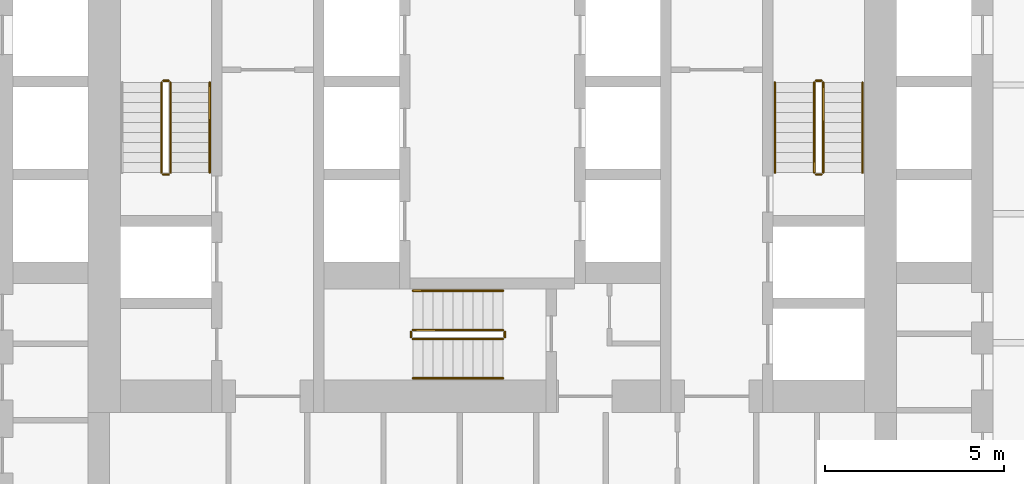
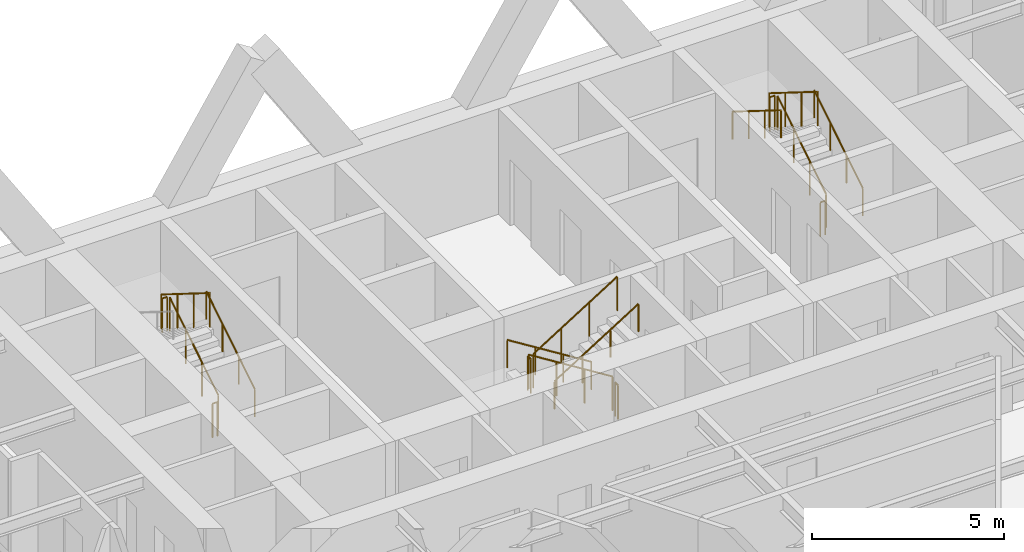
# One storey, part 12 of 12: 17 railings.
"""IFC4 building model written with IfcOpenShell, lengths in metres."""

from ifc_helpers import new_model, si_unit, direction, frame, origin, origin_2d, place, context, subcontext, project, spatial, circle, extrude, material, type_object, element, save


model = new_model("IFC4")

# Units and contexts
model_context = context("Model", 3, precision=1e-05, world=origin(), true_north=direction((0.0, 1.0)))
body_context = subcontext(model_context, "Body", "Model", "MODEL_VIEW")
ifc_project = project(units=[si_unit("LENGTHUNIT", "METRE"), si_unit("AREAUNIT", "SQUARE_METRE"), si_unit("VOLUMEUNIT", "CUBIC_METRE"), si_unit("PLANEANGLEUNIT", "RADIAN"), si_unit("MASSUNIT", "GRAM", prefix="KILO")], contexts=[model_context])

# Site, building, storey
site_placement = place(None, origin())
site = spatial("IfcSite", under=ifc_project, at=site_placement, CompositionType="ELEMENT")
building_placement = place(site_placement, origin())
building = spatial("IfcBuilding", under=site, at=building_placement, Name="Aloe Facet Convention Tower", CompositionType="ELEMENT")
storey_placement = place(building_placement, frame((0.0, 0.0, 56.0)))
storey = spatial("IfcBuildingStorey", under=building, at=storey_placement, Name="L12", CompositionType="ELEMENT", Elevation=56.0)

# Railings
ifc_material_1 = material(Name="Steel S355 balustrade", Category="steel")
railing_type_1 = type_object("IfcRailingType", Name="CR-RL-GUARD", PredefinedType="GUARDRAIL", material=ifc_material_1)
railing_1_placement = place(storey_placement, frame((71.0, 128.949951171875, 0.175048828125)))
element("IfcRailing", 1, at=railing_1_placement, inside=storey, type_object=railing_type_1, Name="L12 ST1 stair guard 1", PredefinedType="GUARDRAIL", context=body_context, shape_type="SweptSolid", body=[
    extrude(circle(Radius=0.02392578125, at=origin_2d()), frame((0.0, 0.0, 1.076171875), z_axis=(0.0, 0.848007534815, 0.529984170421), x_axis=(-1.0, 0.0, 0.0)), (0.0, 0.0, 1.0), 2.9716796875),
    extrude(circle(Radius=0.02099609375, at=origin_2d()), origin(), (0.0, 0.0, 1.0), 1.052001953125),
    extrude(circle(Radius=0.02099609375, at=origin_2d()), frame((0.0, 0.840087890625, 0.52490234375)), (0.0, 0.0, 1.0), 1.052001953125),
    extrude(circle(Radius=0.02099609375, at=origin_2d()), frame((0.0, 1.679931640625, 1.050048828125)), (0.0, 0.0, 1.0), 1.052001953125),
    extrude(circle(Radius=0.02099609375, at=origin_2d()), frame((0.0, 2.52001953125, 1.574951171875)), (0.0, 0.0, 1.0), 1.052001953125),
])
railing_2_placement = place(storey_placement, frame((70.949951171875, 131.52001953125, 1.75)))
element("IfcRailing", 2, at=railing_2_placement, inside=storey, type_object=railing_type_1, Name="L12 ST1 stair guard 2", PredefinedType="GUARDRAIL", context=body_context, shape_type="SweptSolid", body=[
    extrude(circle(Radius=0.02392578125, at=origin_2d()), frame((0.0, 0.0, 1.076171875), z_axis=(-1.0, 0.0, 0.0), x_axis=(0.0, -1.0, 0.0)), (0.0, 0.0, 1.0), 0.14990234375),
    extrude(circle(Radius=0.02099609375, at=origin_2d()), origin(), (0.0, 0.0, 1.0), 1.052001953125),
    extrude(circle(Radius=0.02099609375, at=origin_2d()), frame((-0.14990234375, 0.0, 0.0)), (0.0, 0.0, 1.0), 1.052001953125),
])
railing_3_placement = place(storey_placement, frame((70.75, 131.469970703125, 1.925048828125)))
element("IfcRailing", 3, at=railing_3_placement, inside=storey, type_object=railing_type_1, Name="L12 ST1 stair guard 3", PredefinedType="GUARDRAIL", context=body_context, shape_type="SweptSolid", body=[
    extrude(circle(Radius=0.02392578125, at=origin_2d()), frame((0.0, 0.0, 1.076171875), z_axis=(0.0, -0.848007534815, 0.529984170421), x_axis=(1.0, 0.0, 0.0)), (0.0, 0.0, 1.0), 2.9716796875),
    extrude(circle(Radius=0.02099609375, at=origin_2d()), origin(), (0.0, 0.0, 1.0), 1.052001953125),
    extrude(circle(Radius=0.02099609375, at=origin_2d()), frame((0.0, -0.840087890625, 0.52490234375)), (0.0, 0.0, 1.0), 1.052001953125),
    extrude(circle(Radius=0.02099609375, at=origin_2d()), frame((0.0, -1.679931640625, 1.050048828125)), (0.0, 0.0, 1.0), 1.052001953125),
    extrude(circle(Radius=0.02099609375, at=origin_2d()), frame((0.0, -2.52001953125, 1.574951171875)), (0.0, 0.0, 1.0), 1.052001953125),
])
railing_4_placement = place(storey_placement, frame((70.949951171875, 128.89990234375, 0.0)))
element("IfcRailing", 4, at=railing_4_placement, inside=storey, type_object=railing_type_1, Name="L12 ST1 stair guard 4", PredefinedType="GUARDRAIL", context=body_context, shape_type="SweptSolid", body=[
    extrude(circle(Radius=0.02392578125, at=origin_2d()), frame((0.0, 0.0, 1.076171875), z_axis=(-1.0, 0.0, 0.0), x_axis=(0.0, -1.0, 0.0)), (0.0, 0.0, 1.0), 0.14990234375),
    extrude(circle(Radius=0.02099609375, at=origin_2d()), origin(), (0.0, 0.0, 1.0), 1.052001953125),
    extrude(circle(Radius=0.02099609375, at=origin_2d()), frame((-0.14990234375, 0.0, 0.0)), (0.0, 0.0, 1.0), 1.052001953125),
])
railing_5_placement = place(storey_placement, frame((89.25, 128.949951171875, 0.175048828125)))
element("IfcRailing", 5, at=railing_5_placement, inside=storey, type_object=railing_type_1, Name="L12 ST2 stair guard 1", PredefinedType="GUARDRAIL", context=body_context, shape_type="SweptSolid", body=[
    extrude(circle(Radius=0.02392578125, at=origin_2d()), frame((0.0, 0.0, 1.076171875), z_axis=(0.0, 0.848007534815, 0.529984170421), x_axis=(-1.0, 0.0, 0.0)), (0.0, 0.0, 1.0), 2.9716796875),
    extrude(circle(Radius=0.02099609375, at=origin_2d()), origin(), (0.0, 0.0, 1.0), 1.052001953125),
    extrude(circle(Radius=0.02099609375, at=origin_2d()), frame((0.0, 0.840087890625, 0.52490234375)), (0.0, 0.0, 1.0), 1.052001953125),
    extrude(circle(Radius=0.02099609375, at=origin_2d()), frame((0.0, 1.679931640625, 1.050048828125)), (0.0, 0.0, 1.0), 1.052001953125),
    extrude(circle(Radius=0.02099609375, at=origin_2d()), frame((0.0, 2.52001953125, 1.574951171875)), (0.0, 0.0, 1.0), 1.052001953125),
])
railing_6_placement = place(storey_placement, frame((89.199951171875, 131.52001953125, 1.75)))
element("IfcRailing", 6, at=railing_6_placement, inside=storey, type_object=railing_type_1, Name="L12 ST2 stair guard 2", PredefinedType="GUARDRAIL", context=body_context, shape_type="SweptSolid", body=[
    extrude(circle(Radius=0.02392578125, at=origin_2d()), frame((0.0, 0.0, 1.076171875), z_axis=(-1.0, 0.0, 0.0), x_axis=(0.0, -1.0, 0.0)), (0.0, 0.0, 1.0), 0.14990234375),
    extrude(circle(Radius=0.02099609375, at=origin_2d()), origin(), (0.0, 0.0, 1.0), 1.052001953125),
    extrude(circle(Radius=0.02099609375, at=origin_2d()), frame((-0.14990234375, 0.0, 0.0)), (0.0, 0.0, 1.0), 1.052001953125),
])
railing_7_placement = place(storey_placement, frame((89.0, 131.469970703125, 1.925048828125)))
element("IfcRailing", 7, at=railing_7_placement, inside=storey, type_object=railing_type_1, Name="L12 ST2 stair guard 3", PredefinedType="GUARDRAIL", context=body_context, shape_type="SweptSolid", body=[
    extrude(circle(Radius=0.02392578125, at=origin_2d()), frame((0.0, 0.0, 1.076171875), z_axis=(0.0, -0.848007534815, 0.529984170421), x_axis=(1.0, 0.0, 0.0)), (0.0, 0.0, 1.0), 2.9716796875),
    extrude(circle(Radius=0.02099609375, at=origin_2d()), origin(), (0.0, 0.0, 1.0), 1.052001953125),
    extrude(circle(Radius=0.02099609375, at=origin_2d()), frame((0.0, -0.840087890625, 0.52490234375)), (0.0, 0.0, 1.0), 1.052001953125),
    extrude(circle(Radius=0.02099609375, at=origin_2d()), frame((0.0, -1.679931640625, 1.050048828125)), (0.0, 0.0, 1.0), 1.052001953125),
    extrude(circle(Radius=0.02099609375, at=origin_2d()), frame((0.0, -2.52001953125, 1.574951171875)), (0.0, 0.0, 1.0), 1.052001953125),
])
railing_8_placement = place(storey_placement, frame((89.199951171875, 128.89990234375, 0.0)))
element("IfcRailing", 8, at=railing_8_placement, inside=storey, type_object=railing_type_1, Name="L12 ST2 stair guard 4", PredefinedType="GUARDRAIL", context=body_context, shape_type="SweptSolid", body=[
    extrude(circle(Radius=0.02392578125, at=origin_2d()), frame((0.0, 0.0, 1.076171875), z_axis=(-1.0, 0.0, 0.0), x_axis=(0.0, -1.0, 0.0)), (0.0, 0.0, 1.0), 0.14990234375),
    extrude(circle(Radius=0.02099609375, at=origin_2d()), origin(), (0.0, 0.0, 1.0), 1.052001953125),
    extrude(circle(Radius=0.02099609375, at=origin_2d()), frame((-0.14990234375, 0.0, 0.0)), (0.0, 0.0, 1.0), 1.052001953125),
])
railing_9_placement = place(storey_placement, frame((80.300048828125, 124.550048828125, 0.175048828125)))
element("IfcRailing", 9, at=railing_9_placement, inside=storey, type_object=railing_type_1, Name="L12 ST3 stair guard 1", PredefinedType="GUARDRAIL", context=body_context, shape_type="SweptSolid", body=[
    extrude(circle(Radius=0.02392578125, at=origin_2d()), frame((0.0, 0.0, 1.076171875), z_axis=(-0.848007534815, 0.0, 0.529984170421), x_axis=(0.0, -1.0, 0.0)), (0.0, 0.0, 1.0), 2.9716796875),
    extrude(circle(Radius=0.02099609375, at=origin_2d()), origin(), (0.0, 0.0, 1.0), 1.052001953125),
    extrude(circle(Radius=0.02099609375, at=origin_2d()), frame((-0.840087890625, 0.0, 0.52490234375)), (0.0, 0.0, 1.0), 1.052001953125),
    extrude(circle(Radius=0.02099609375, at=origin_2d()), frame((-1.679931640625, 0.0, 1.050048828125)), (0.0, 0.0, 1.0), 1.052001953125),
    extrude(circle(Radius=0.02099609375, at=origin_2d()), frame((-2.52001953125, 0.0, 1.574951171875)), (0.0, 0.0, 1.0), 1.052001953125),
])
railing_10_placement = place(storey_placement, frame((77.72998046875, 124.5, 1.75)))
element("IfcRailing", 10, at=railing_10_placement, inside=storey, type_object=railing_type_1, Name="L12 ST3 stair guard 2", PredefinedType="GUARDRAIL", context=body_context, shape_type="SweptSolid", body=[
    extrude(circle(Radius=0.02392578125, at=origin_2d()), frame((0.0, 0.0, 1.076171875), z_axis=(0.0, -1.0, 0.0), x_axis=(1.0, 0.0, 0.0)), (0.0, 0.0, 1.0), 0.14990234375),
    extrude(circle(Radius=0.02099609375, at=origin_2d()), origin(), (0.0, 0.0, 1.0), 1.052001953125),
    extrude(circle(Radius=0.02099609375, at=origin_2d()), frame((0.0, -0.14990234375, 0.0)), (0.0, 0.0, 1.0), 1.052001953125),
])
railing_11_placement = place(storey_placement, frame((77.780029296875, 124.300048828125, 1.925048828125)))
element("IfcRailing", 11, at=railing_11_placement, inside=storey, type_object=railing_type_1, Name="L12 ST3 stair guard 3", PredefinedType="GUARDRAIL", context=body_context, shape_type="SweptSolid", body=[
    extrude(circle(Radius=0.02392578125, at=origin_2d()), frame((0.0, 0.0, 1.076171875), z_axis=(0.848007534815, 0.0, 0.529984170421), x_axis=(0.0, 1.0, 0.0)), (0.0, 0.0, 1.0), 2.9716796875),
    extrude(circle(Radius=0.02099609375, at=origin_2d()), origin(), (0.0, 0.0, 1.0), 1.052001953125),
    extrude(circle(Radius=0.02099609375, at=origin_2d()), frame((0.840087890625, 0.0, 0.52490234375)), (0.0, 0.0, 1.0), 1.052001953125),
    extrude(circle(Radius=0.02099609375, at=origin_2d()), frame((1.679931640625, 0.0, 1.050048828125)), (0.0, 0.0, 1.0), 1.052001953125),
    extrude(circle(Radius=0.02099609375, at=origin_2d()), frame((2.52001953125, 0.0, 1.574951171875)), (0.0, 0.0, 1.0), 1.052001953125),
])
railing_12_placement = place(storey_placement, frame((80.35009765625, 124.5, 0.0)))
element("IfcRailing", 12, at=railing_12_placement, inside=storey, type_object=railing_type_1, Name="L12 ST3 stair guard 4", PredefinedType="GUARDRAIL", context=body_context, shape_type="SweptSolid", body=[
    extrude(circle(Radius=0.02392578125, at=origin_2d()), frame((0.0, 0.0, 1.076171875), z_axis=(0.0, -1.0, 0.0), x_axis=(1.0, 0.0, 0.0)), (0.0, 0.0, 1.0), 0.14990234375),
    extrude(circle(Radius=0.02099609375, at=origin_2d()), origin(), (0.0, 0.0, 1.0), 1.052001953125),
    extrude(circle(Radius=0.02099609375, at=origin_2d()), frame((0.0, -0.14990234375, 0.0)), (0.0, 0.0, 1.0), 1.052001953125),
])
ifc_material_2 = material(Name="Steel S355 handrail", Category="steel")
railing_type_2 = type_object("IfcRailingType", Name="CR-RL-HAND", PredefinedType="HANDRAIL", material=ifc_material_2)
for number, where, name in (
    (13, (72.10009765625, 128.949951171875, 0.175048828125), "L12 ST1 stair handrail 1"),
    (14, (90.35009765625, 128.949951171875, 0.175048828125), "L12 ST2 stair handrail 1"),
):
    element("IfcRailing", number, at=place(storey_placement, frame(where)), inside=storey, type_object=railing_type_2, Name=name, PredefinedType="HANDRAIL", context=body_context, shape_type="SweptSolid", body=[
        extrude(circle(Radius=0.02392578125, at=origin_2d()), frame((0.0, 0.0, 0.8759765625), z_axis=(0.0, 0.848007534815, 0.529984170421), x_axis=(-1.0, 0.0, 0.0)), (0.0, 0.0, 1.0), 2.9716796875),
        extrude(circle(Radius=0.02099609375, at=origin_2d()), origin(), (0.0, 0.0, 1.0), 0.851806640625),
        extrude(circle(Radius=0.02099609375, at=origin_2d()), frame((0.0, 0.840087890625, 0.52490234375)), (0.0, 0.0, 1.0), 0.851806640625),
        extrude(circle(Radius=0.02099609375, at=origin_2d()), frame((0.0, 1.679931640625, 1.050048828125)), (0.0, 0.0, 1.0), 0.851806640625),
        extrude(circle(Radius=0.02099609375, at=origin_2d()), frame((0.0, 2.52001953125, 1.574951171875)), (0.0, 0.0, 1.0), 0.851806640625),
    ])
railing_13_placement = place(storey_placement, frame((87.89990234375, 131.469970703125, 1.925048828125)))
element("IfcRailing", 15, at=railing_13_placement, inside=storey, type_object=railing_type_2, Name="L12 ST2 stair handrail 2", PredefinedType="HANDRAIL", context=body_context, shape_type="SweptSolid", body=[
    extrude(circle(Radius=0.02392578125, at=origin_2d()), frame((0.0, 0.0, 0.8759765625), z_axis=(0.0, -0.848007534815, 0.529984170421), x_axis=(1.0, 0.0, 0.0)), (0.0, 0.0, 1.0), 2.9716796875),
    extrude(circle(Radius=0.02099609375, at=origin_2d()), origin(), (0.0, 0.0, 1.0), 0.851806640625),
    extrude(circle(Radius=0.02099609375, at=origin_2d()), frame((0.0, -0.840087890625, 0.52490234375)), (0.0, 0.0, 1.0), 0.851806640625),
    extrude(circle(Radius=0.02099609375, at=origin_2d()), frame((0.0, -1.679931640625, 1.050048828125)), (0.0, 0.0, 1.0), 0.851806640625),
    extrude(circle(Radius=0.02099609375, at=origin_2d()), frame((0.0, -2.52001953125, 1.574951171875)), (0.0, 0.0, 1.0), 0.851806640625),
])
railing_14_placement = place(storey_placement, frame((80.300048828125, 125.64990234375, 0.175048828125)))
element("IfcRailing", 16, at=railing_14_placement, inside=storey, type_object=railing_type_2, Name="L12 ST3 stair handrail 1", PredefinedType="HANDRAIL", context=body_context, shape_type="SweptSolid", body=[
    extrude(circle(Radius=0.02392578125, at=origin_2d()), frame((0.0, 0.0, 0.8759765625), z_axis=(-0.848007534815, 0.0, 0.529984170421), x_axis=(0.0, -1.0, 0.0)), (0.0, 0.0, 1.0), 2.9716796875),
    extrude(circle(Radius=0.02099609375, at=origin_2d()), origin(), (0.0, 0.0, 1.0), 0.851806640625),
    extrude(circle(Radius=0.02099609375, at=origin_2d()), frame((-0.840087890625, 0.0, 0.52490234375)), (0.0, 0.0, 1.0), 0.851806640625),
    extrude(circle(Radius=0.02099609375, at=origin_2d()), frame((-1.679931640625, 0.0, 1.050048828125)), (0.0, 0.0, 1.0), 0.851806640625),
    extrude(circle(Radius=0.02099609375, at=origin_2d()), frame((-2.52001953125, 0.0, 1.574951171875)), (0.0, 0.0, 1.0), 0.851806640625),
])
railing_15_placement = place(storey_placement, frame((77.780029296875, 123.199951171875, 1.925048828125)))
element("IfcRailing", 17, at=railing_15_placement, inside=storey, type_object=railing_type_2, Name="L12 ST3 stair handrail 2", PredefinedType="HANDRAIL", context=body_context, shape_type="SweptSolid", body=[
    extrude(circle(Radius=0.02392578125, at=origin_2d()), frame((0.0, 0.0, 0.8759765625), z_axis=(0.848007534815, 0.0, 0.529984170421), x_axis=(0.0, 1.0, 0.0)), (0.0, 0.0, 1.0), 2.9716796875),
    extrude(circle(Radius=0.02099609375, at=origin_2d()), origin(), (0.0, 0.0, 1.0), 0.851806640625),
    extrude(circle(Radius=0.02099609375, at=origin_2d()), frame((0.840087890625, 0.0, 0.52490234375)), (0.0, 0.0, 1.0), 0.851806640625),
    extrude(circle(Radius=0.02099609375, at=origin_2d()), frame((1.679931640625, 0.0, 1.050048828125)), (0.0, 0.0, 1.0), 0.851806640625),
    extrude(circle(Radius=0.02099609375, at=origin_2d()), frame((2.52001953125, 0.0, 1.574951171875)), (0.0, 0.0, 1.0), 0.851806640625),
])

save(model, "model.ifc")
